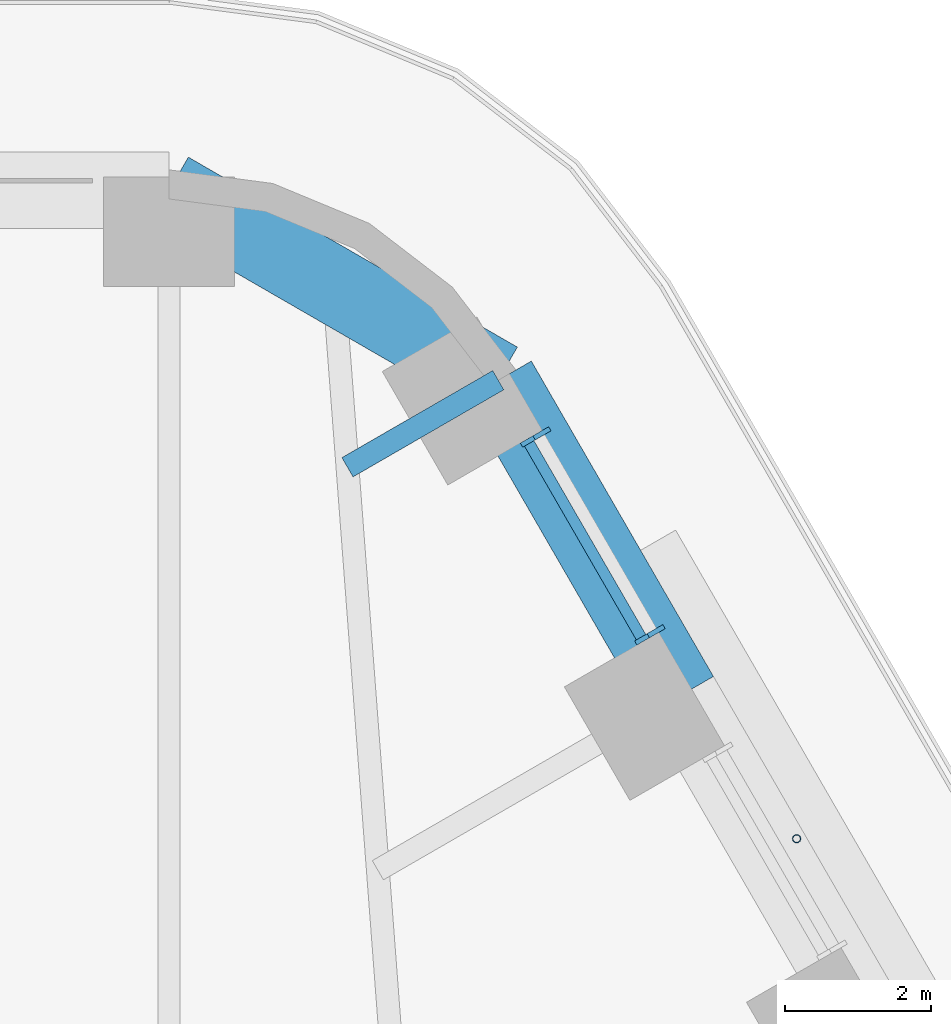
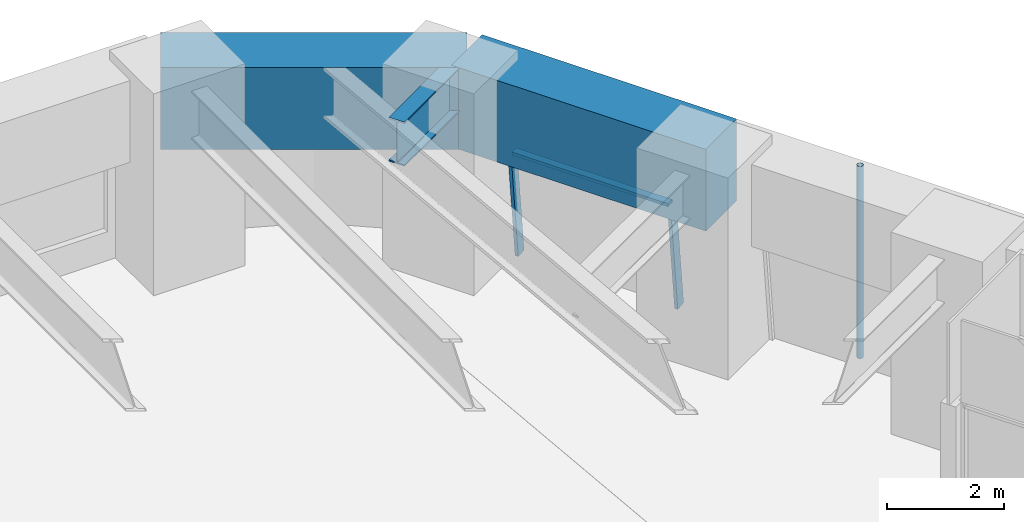
# One storey, part 13 of 24: 4 members, 3 beams, 1 element without a shape of its own.
"""IFC4 building model written with IfcOpenShell, lengths in metres."""

from ifc_helpers import new_model, si_unit, direction, frame, origin, origin_2d, place, context, subcontext, project, spatial, rectangle, hollow_circle, i_section, extrude, material, material_profile, profile_set, type_object, element, aggregate, save


model = new_model("IFC4")

# Units and contexts
model_context = context("Model", 3, precision=1e-05, world=origin(), true_north=direction((0.0, 1.0)))
body_context = subcontext(model_context, "Body", "Model", "MODEL_VIEW")
ifc_project = project(units=[si_unit("LENGTHUNIT", "METRE"), si_unit("AREAUNIT", "SQUARE_METRE"), si_unit("VOLUMEUNIT", "CUBIC_METRE"), si_unit("PLANEANGLEUNIT", "RADIAN"), si_unit("MASSUNIT", "GRAM", prefix="KILO")], contexts=[model_context])

# Site, building, storey
site_placement = place(None, origin())
site = spatial("IfcSite", under=ifc_project, at=site_placement, CompositionType="ELEMENT")
building_placement = place(site_placement, origin())
building = spatial("IfcBuilding", under=site, at=building_placement, Name="Tarfa Lantern Tower", CompositionType="ELEMENT")
storey_placement = place(building_placement, frame((0.0, 0.0, 123.699951171875)))
storey = spatial("IfcBuildingStorey", under=building, at=storey_placement, Name="L27", CompositionType="ELEMENT", Elevation=123.699951171875)

# Curtain wall, members
ifc_material_1 = material(Name="Aluminium framed curtain wall", Category="aluminium")
curtain_wall_type = type_object("IfcCurtainWallType", Name="CW2 CANTED GLAZING MID ZONE 2300", PredefinedType="USERDEFINED", material=ifc_material_1)
curtain_wall_placement = place(storey_placement, origin())
curtain_wall = element("IfcCurtainWall", 1, at=curtain_wall_placement, inside=storey, type_object=curtain_wall_type, Name="CW2 NEB L27", ObjectType="CURTAIN WALL", PredefinedType="USERDEFINED")
ifc_material_2 = material(Name="Aluminium mullion", Category="aluminium")
ifc_material_profile_1 = material_profile(ifc_material_2, rectangle(XDim=0.06494140625, YDim=0.199951171875, at=origin_2d()), Name="AL MULLION 65x200")
ifc_profile_set_1 = profile_set([ifc_material_profile_1], Name="Aluminium mullion")
member_type_1 = type_object("IfcMemberType", Name="CWM1 MULLION 65x200", PredefinedType="MULLION", material=ifc_profile_set_1)
member_1_placement = place(storey_placement, frame((21.72314453125, 25.17431640625, 0.0), z_axis=(-0.093495303575, -0.054028888748, 0.994152657991), x_axis=(0.500342721131, -0.865827443207, 0.0)))
member_1 = element("IfcMember", 2, at=member_1_placement, type_object=member_type_1, Name="CW2 mullion 1", PredefinedType="MULLION", context=body_context, shape_type="SweptSolid", body=[
    extrude(rectangle(XDim=0.06494140625, YDim=0.199951171875, at=origin_2d()), origin(), (0.0, 0.0, 1.0), 2.3134765625),
])
member_2_placement = place(storey_placement, frame((20.15380859375, 27.892333984375, 0.0), z_axis=(-0.093495303575, -0.054028888748, 0.994152657991), x_axis=(0.500342721131, -0.865827443207, 0.0)))
member_2 = element("IfcMember", 3, at=member_2_placement, type_object=member_type_1, Name="CW2 mullion 2", PredefinedType="MULLION", context=body_context, shape_type="SweptSolid", body=[
    extrude(rectangle(XDim=0.06494140625, YDim=0.199951171875, at=origin_2d()), origin(), (0.0, 0.0, 1.0), 2.3134765625),
])
ifc_material_3 = material(Name="Aluminium transom", Category="aluminium")
ifc_material_profile_2 = material_profile(ifc_material_3, rectangle(XDim=0.14990234375, YDim=0.06494140625, at=origin_2d()), Name="AL TRANSOM 150x65")
ifc_profile_set_2 = profile_set([ifc_material_profile_2], Name="Aluminium transom")
member_type_2 = type_object("IfcMemberType", Name="CWT1 TRANSOM 150x65", PredefinedType="USERDEFINED", material=ifc_profile_set_2)
member_3_placement = place(storey_placement, frame((21.49365234375, 25.0791015625, 2.267578125), z_axis=(-0.500008936691, 0.866020244122, 0.0), x_axis=(-0.866020244122, -0.500008936691, 0.0)))
member_3 = element("IfcMember", 4, at=member_3_placement, type_object=member_type_2, Name="CW2 transom 1.2", ObjectType="TRANSOM", PredefinedType="USERDEFINED", context=body_context, shape_type="SweptSolid", body=[
    extrude(rectangle(XDim=0.14990234375, YDim=0.06494140625, at=origin_2d()), origin(), (0.0, 0.0, 1.0), 3.07373046875),
])
aggregate(curtain_wall, [member_1, member_2, member_3])

# Beams
ifc_material_4 = material(Name="Concrete C80/95", Category="concrete")
ifc_material_profile_3 = material_profile(ifc_material_4, rectangle(XDim=1.050048828125, YDim=1.699951171875, at=origin_2d()), Name="RC 1050x1700")
ifc_profile_set_3 = profile_set([ifc_material_profile_3], Name="Concrete C80/95")
beam_type_1 = type_object("IfcBeamType", Name="RB2 RC 1050x1700", PredefinedType="BEAM", material=ifc_profile_set_3)
beam_1_placement = place(storey_placement, frame((22.03369140625, 24.276611328125, 3.150146484375), z_axis=(-0.500001197378, 0.866024712477, 0.0), x_axis=(-0.866024712477, -0.500001197378, 0.0)))
element("IfcBeam", 5, at=beam_1_placement, inside=storey, type_object=beam_type_1, Name="Edge beam NE5", PredefinedType="BEAM", context=body_context, shape_type="SweptSolid", body=[
    extrude(rectangle(XDim=1.050048828125, YDim=1.699951171875, at=origin_2d()), origin(), (0.0, 0.0, 1.0), 5.00390625),
])
beam_2_placement = place(storey_placement, frame((19.53173828125, 28.610107421875, 3.150146484375), z_axis=(-0.86604150238, 0.499972115377, 0.0), x_axis=(-0.499972115377, -0.86604150238, 0.0)))
element("IfcBeam", 6, at=beam_2_placement, inside=storey, type_object=beam_type_1, Name="Edge beam NE6", PredefinedType="BEAM", context=body_context, shape_type="SweptSolid", body=[
    extrude(rectangle(XDim=1.050048828125, YDim=1.699951171875, at=origin_2d()), origin(), (0.0, 0.0, 1.0), 5.219970703125),
])

# Member
ifc_material_5 = material(Name="Steel S355", Category="steel")
ifc_material_profile_4 = material_profile(ifc_material_5, hollow_circle(Radius=0.05712890625, WallThickness=0.00634765625, at=origin_2d()), Name="CHS114.3x6.3")
ifc_profile_set_4 = profile_set([ifc_material_profile_4], Name="Steel S355")
member_type_3 = type_object("IfcMemberType", Name="TR1 GREEN WALL TRELLIS CHS114.3x6.3", PredefinedType="USERDEFINED", material=ifc_profile_set_4)
member_4_placement = place(storey_placement, frame((23.630859375, 22.31005859375, 0.0), z_axis=(0.0, 0.0, 1.0), x_axis=(1.0, 0.0, 0.0)))
element("IfcMember", 7, at=member_4_placement, inside=storey, type_object=member_type_3, Name="Trellis post NE 2", ObjectType="TRELLIS", PredefinedType="USERDEFINED", context=body_context, shape_type="SweptSolid", body=[
    extrude(hollow_circle(Radius=0.05712890625, WallThickness=0.00634765625, at=origin_2d()), origin(), (0.0, 0.0, 1.0), 4.0),
])

# Beam
ifc_material_6 = material(Name="Steel S460M", Category="steel")
ifc_material_profile_5 = material_profile(ifc_material_6, i_section(OverallWidth=0.305419921875, OverallDepth=0.91845703125, WebThickness=0.017333984375, FlangeThickness=0.02783203125, FilletRadius=0.01904296875, at=origin_2d()), Name="UB914x305x253")
ifc_profile_set_5 = profile_set([ifc_material_profile_5], Name="Steel S460M")
beam_type_2 = type_object("IfcBeamType", Name="UB914x305x253", PredefinedType="BEAM", material=ifc_profile_set_5)
beam_3_placement = place(storey_placement, frame((19.53173828125, 28.610107421875, 3.540771484375), z_axis=(-0.865998640954, -0.500046351717, 0.0), x_axis=(0.500046351717, -0.865998640954, 0.0)))
element("IfcBeam", 8, at=beam_3_placement, inside=storey, type_object=beam_type_2, Name="Floor beam NE6", PredefinedType="BEAM", context=body_context, shape_type="SweptSolid", body=[
    extrude(i_section(OverallWidth=0.305419921875, OverallDepth=0.91845703125, WebThickness=0.017333984375, FlangeThickness=0.02783203125, FilletRadius=0.01904296875, at=origin_2d()), origin(), (0.0, 0.0, 1.0), 2.392333984375),
])

save(model, "model.ifc")
